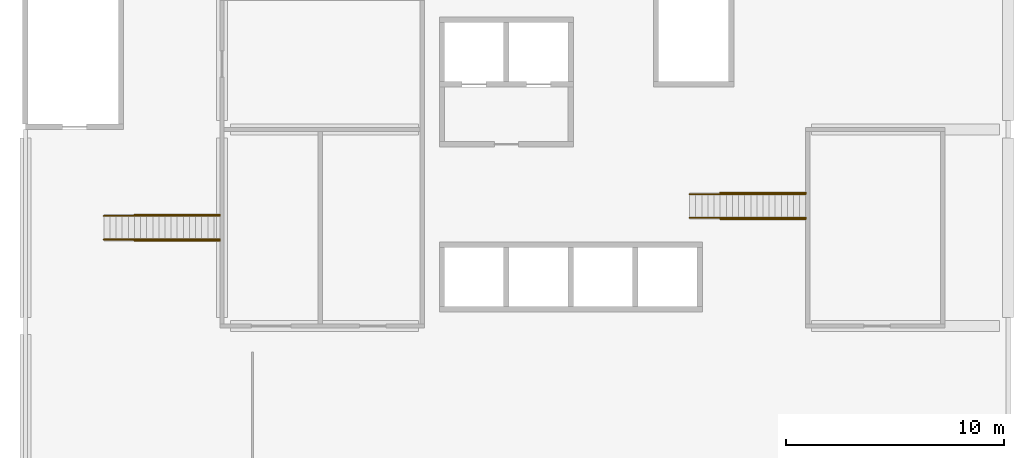
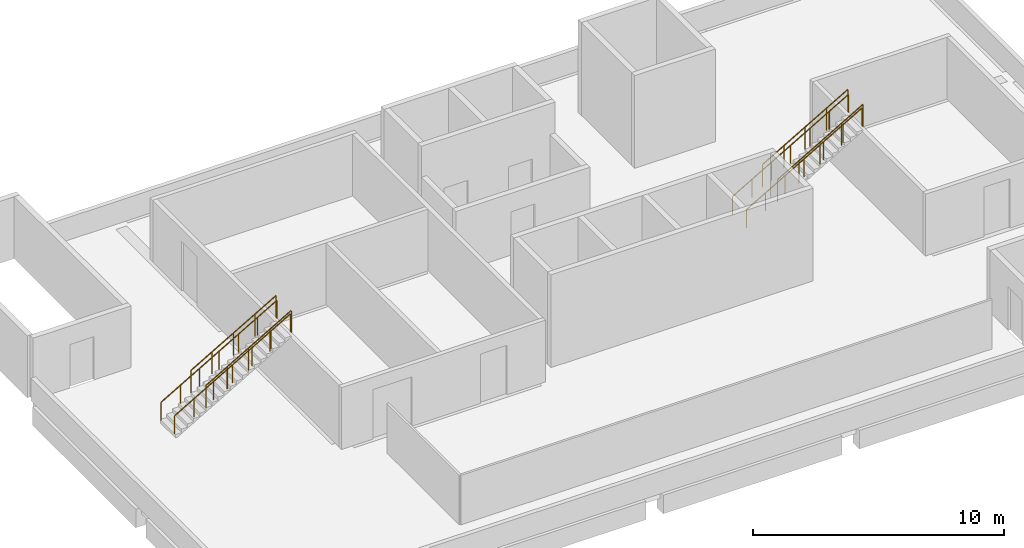
# One storey, part 3 of 3: 8 railings.
"""IFC4 building model written with IfcOpenShell, lengths in metres."""

from ifc_helpers import new_model, si_unit, direction, frame, origin, origin_2d, place, context, subcontext, project, spatial, circle, extrude, material, type_object, element, save


model = new_model("IFC4")

# Units and contexts
model_context = context("Model", 3, precision=1e-05, world=origin(), true_north=direction((0.0, 1.0)))
body_context = subcontext(model_context, "Body", "Model", "MODEL_VIEW")
ifc_project = project(units=[si_unit("LENGTHUNIT", "METRE"), si_unit("AREAUNIT", "SQUARE_METRE"), si_unit("VOLUMEUNIT", "CUBIC_METRE"), si_unit("PLANEANGLEUNIT", "RADIAN"), si_unit("MASSUNIT", "GRAM", prefix="KILO")], contexts=[model_context])

# Site, building, storey
site_placement = place(None, origin())
site = spatial("IfcSite", under=ifc_project, at=site_placement, CompositionType="ELEMENT")
building_placement = place(site_placement, origin())
building = spatial("IfcBuilding", under=site, at=building_placement, Name="Guidao Yard Department Store", CompositionType="ELEMENT")
storey_placement = place(building_placement, frame((0.0, 0.0, 37.5)))
storey = spatial("IfcBuildingStorey", under=building, at=storey_placement, Name="RF", CompositionType="ELEMENT", Elevation=37.5)

# Railings
ifc_material_1 = material(Name="Steel Q235", Category="steel")
railing_type_1 = type_object("IfcRailingType", Name="Guard steel balustrade 1100", PredefinedType="GUARDRAIL", material=ifc_material_1)
for number, where, name in (
    (1, (130.989990234375, 12.89990234375, 0.97509765625), "Roof access stair 1 guard RF 1"),
    (2, (130.989990234375, 14.10009765625, 0.97509765625), "Roof access stair 1 guard RF 2"),
):
    element("IfcRailing", number, at=place(storey_placement, frame(where)), inside=storey, type_object=railing_type_1, Name=name, PredefinedType="GUARDRAIL", context=body_context, shape_type="SweptSolid", body=[
        extrude(circle(Radius=0.02392578125, at=origin_2d()), frame((0.0, 0.0, 1.076171875), z_axis=(0.864902109995, 0.0, 0.501940574298), x_axis=(0.0, 1.0, 0.0)), (0.0, 0.0, 1.0), 4.5322265625),
        extrude(circle(Radius=0.02099609375, at=origin_2d()), origin(), (0.0, 0.0, 1.0), 1.052001953125),
        extrude(circle(Radius=0.02099609375, at=origin_2d()), frame((0.97998046875, 0.0, 0.56884765625)), (0.0, 0.0, 1.0), 1.052001953125),
        extrude(circle(Radius=0.02099609375, at=origin_2d()), frame((1.9599609375, 0.0, 1.137451171875)), (0.0, 0.0, 1.0), 1.052001953125),
        extrude(circle(Radius=0.02099609375, at=origin_2d()), frame((2.93994140625, 0.0, 1.7060546875)), (0.0, 0.0, 1.0), 1.052001953125),
        extrude(circle(Radius=0.02099609375, at=origin_2d()), frame((3.919921875, 0.0, 2.27490234375)), (0.0, 0.0, 1.0), 1.052001953125),
    ])
for number, where, name in (
    (3, (157.81494140625, 13.89990234375, 0.97509765625), "Roof access stair 2 guard RF 3"),
    (4, (157.81494140625, 15.10009765625, 0.97509765625), "Roof access stair 2 guard RF 4"),
):
    element("IfcRailing", number, at=place(storey_placement, frame(where)), inside=storey, type_object=railing_type_1, Name=name, PredefinedType="GUARDRAIL", context=body_context, shape_type="SweptSolid", body=[
        extrude(circle(Radius=0.02392578125, at=origin_2d()), frame((0.0, 0.0, 1.076171875), z_axis=(0.864915680745, 0.0, 0.501917189586), x_axis=(0.0, 1.0, 0.0)), (0.0, 0.0, 1.0), 4.532470703125),
        extrude(circle(Radius=0.02099609375, at=origin_2d()), origin(), (0.0, 0.0, 1.0), 1.052001953125),
        extrude(circle(Radius=0.02099609375, at=origin_2d()), frame((0.97998046875, 0.0, 0.56884765625)), (0.0, 0.0, 1.0), 1.052001953125),
        extrude(circle(Radius=0.02099609375, at=origin_2d()), frame((1.9599609375, 0.0, 1.137451171875)), (0.0, 0.0, 1.0), 1.052001953125),
        extrude(circle(Radius=0.02099609375, at=origin_2d()), frame((2.940185546875, 0.0, 1.7060546875)), (0.0, 0.0, 1.0), 1.052001953125),
        extrude(circle(Radius=0.02099609375, at=origin_2d()), frame((3.920166015625, 0.0, 2.27490234375)), (0.0, 0.0, 1.0), 1.052001953125),
    ])
ifc_material_2 = material(Name="Steel Q235", Category="steel")
railing_type_2 = type_object("IfcRailingType", Name="Handrail steel tube 48", PredefinedType="HANDRAIL", material=ifc_material_2)
for number, where, name in (
    (5, (129.590087890625, 12.9599609375, 0.16259765625), "Roof access stair 1 hand rail RF 1"),
    (6, (129.590087890625, 14.0400390625, 0.16259765625), "Roof access stair 1 hand rail RF 2"),
):
    element("IfcRailing", number, at=place(storey_placement, frame(where)), inside=storey, type_object=railing_type_2, Name=name, PredefinedType="HANDRAIL", context=body_context, shape_type="SweptSolid", body=[
        extrude(circle(Radius=0.02392578125, at=origin_2d()), frame((0.0, 0.0, 0.8759765625), z_axis=(0.864896791065, 0.0, 0.501949739321), x_axis=(0.0, 1.0, 0.0)), (0.0, 0.0, 1.0), 6.15087890625),
        extrude(circle(Radius=0.02099609375, at=origin_2d()), origin(), (0.0, 0.0, 1.0), 0.851806640625),
        extrude(circle(Radius=0.02099609375, at=origin_2d()), frame((0.88671875, 0.0, 0.5146484375)), (0.0, 0.0, 1.0), 0.851806640625),
        extrude(circle(Radius=0.02099609375, at=origin_2d()), frame((1.773193359375, 0.0, 1.029052734375)), (0.0, 0.0, 1.0), 0.851806640625),
        extrude(circle(Radius=0.02099609375, at=origin_2d()), frame((2.659912109375, 0.0, 1.543701171875)), (0.0, 0.0, 1.0), 0.851806640625),
        extrude(circle(Radius=0.02099609375, at=origin_2d()), frame((3.546630859375, 0.0, 2.058349609375)), (0.0, 0.0, 1.0), 0.851806640625),
        extrude(circle(Radius=0.02099609375, at=origin_2d()), frame((4.43310546875, 0.0, 2.57275390625)), (0.0, 0.0, 1.0), 0.851806640625),
        extrude(circle(Radius=0.02099609375, at=origin_2d()), frame((5.31982421875, 0.0, 3.08740234375)), (0.0, 0.0, 1.0), 0.851806640625),
    ])
for number, where, name in (
    (7, (156.4150390625, 13.9599609375, 0.16259765625), "Roof access stair 2 hand rail RF 3"),
    (8, (156.4150390625, 15.0400390625, 0.16259765625), "Roof access stair 2 hand rail RF 4"),
):
    element("IfcRailing", number, at=place(storey_placement, frame(where)), inside=storey, type_object=railing_type_2, Name=name, PredefinedType="HANDRAIL", context=body_context, shape_type="SweptSolid", body=[
        extrude(circle(Radius=0.02392578125, at=origin_2d()), frame((0.0, 0.0, 0.8759765625), z_axis=(0.864906791184, 0.0, 0.501932507976), x_axis=(0.0, 1.0, 0.0)), (0.0, 0.0, 1.0), 6.151123046875),
        extrude(circle(Radius=0.02099609375, at=origin_2d()), origin(), (0.0, 0.0, 1.0), 0.851806640625),
        extrude(circle(Radius=0.02099609375, at=origin_2d()), frame((0.88671875, 0.0, 0.5146484375)), (0.0, 0.0, 1.0), 0.851806640625),
        extrude(circle(Radius=0.02099609375, at=origin_2d()), frame((1.7734375, 0.0, 1.029052734375)), (0.0, 0.0, 1.0), 0.851806640625),
        extrude(circle(Radius=0.02099609375, at=origin_2d()), frame((2.66015625, 0.0, 1.543701171875)), (0.0, 0.0, 1.0), 0.851806640625),
        extrude(circle(Radius=0.02099609375, at=origin_2d()), frame((3.546630859375, 0.0, 2.058349609375)), (0.0, 0.0, 1.0), 0.851806640625),
        extrude(circle(Radius=0.02099609375, at=origin_2d()), frame((4.433349609375, 0.0, 2.57275390625)), (0.0, 0.0, 1.0), 0.851806640625),
        extrude(circle(Radius=0.02099609375, at=origin_2d()), frame((5.320068359375, 0.0, 3.08740234375)), (0.0, 0.0, 1.0), 0.851806640625),
    ])

save(model, "model.ifc")
